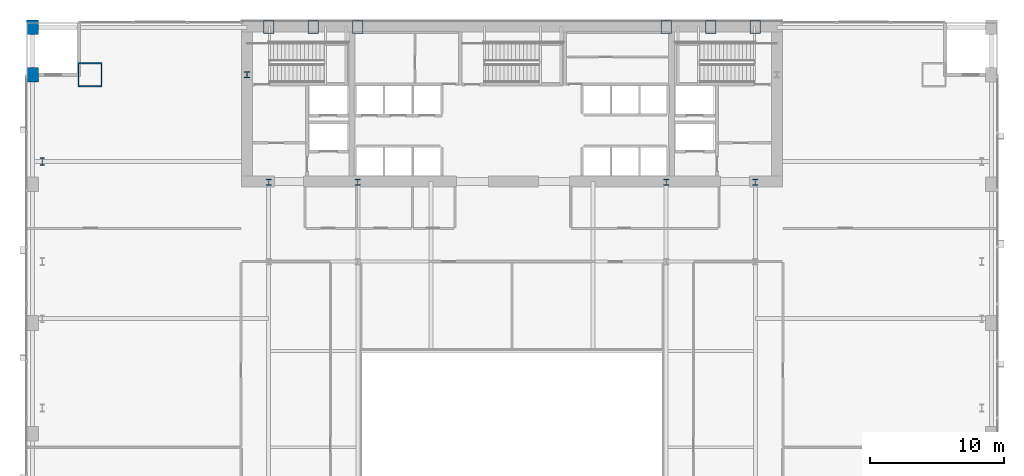
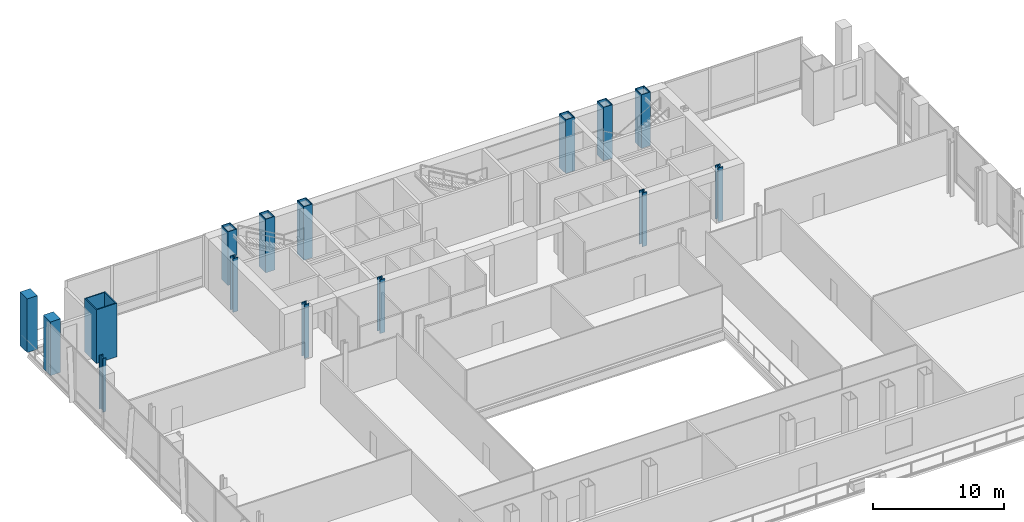
# One storey, part 3 of 26: 15 columns.
"""IFC4 building model written with IfcOpenShell, lengths in metres."""

from ifc_helpers import new_model, si_unit, direction, frame, origin, origin_2d, place, context, subcontext, project, spatial, rectangle, hollow_rectangle, i_section, extrude, material, material_profile, profile_set, type_object, element, save


model = new_model("IFC4")

# Units and contexts
model_context = context("Model", 3, precision=1e-05, world=origin(), true_north=direction((0.0, 1.0)))
body_context = subcontext(model_context, "Body", "Model", "MODEL_VIEW")
ifc_project = project(units=[si_unit("LENGTHUNIT", "METRE"), si_unit("AREAUNIT", "SQUARE_METRE"), si_unit("VOLUMEUNIT", "CUBIC_METRE"), si_unit("PLANEANGLEUNIT", "RADIAN"), si_unit("MASSUNIT", "GRAM", prefix="KILO")], contexts=[model_context])

# Site, building, storey
site_placement = place(None, origin())
site = spatial("IfcSite", under=ifc_project, at=site_placement, CompositionType="ELEMENT")
building_placement = place(site_placement, origin())
building = spatial("IfcBuilding", under=site, at=building_placement, Name="Khoronbel Lancet Exchange", CompositionType="ELEMENT")
storey_placement = place(building_placement, frame((0.0, 0.0, 5.39990234375)))
storey = spatial("IfcBuildingStorey", under=building, at=storey_placement, Name="L01", CompositionType="ELEMENT", Elevation=5.39990234375)

# Columns
ifc_material_1 = material(Name="Steel S460", Category="steel")
ifc_material_profile_1 = material_profile(ifc_material_1, hollow_rectangle(XDim=0.800048828125, YDim=1.0, WallThickness=0.054931640625, at=origin_2d()), Name="BOX 1000x800x55")
ifc_profile_set_1 = profile_set([ifc_material_profile_1], Name="Steel S460")
column_type_1 = type_object("IfcColumnType", Name="COL-EC1", PredefinedType="COLUMN", material=ifc_profile_set_1)
for number, where, z_axis, x_axis, name in (
    (1, (18.22509765625, 53.280029296875, 0.0), (0.0, 0.0, 1.0), (1.0, 0.0, 0.0), "Structural column NC-W1 L01"),
    (2, (21.5625, 53.280029296875, 0.0), (0.0, 0.0, 1.0), (1.0, 0.0, 0.0), "Structural column NC-WM L01"),
    (3, (24.89990234375, 53.280029296875, 0.0), (0.0, 0.0, 1.0), (1.0, 0.0, 0.0), "Structural column NC-W2 L01"),
    (4, (48.0, 53.280029296875, 0.0), (0.0, 0.0, 1.0), (1.0, 0.0, 0.0), "Structural column NC-E1 L01"),
    (5, (51.33740234375, 53.280029296875, 0.0), (0.0, 0.0, 1.0), (1.0, 0.0, 0.0), "Structural column NC-EM L01"),
    (6, (54.675048828125, 53.280029296875, 0.0), (0.0, 0.0, 1.0), (1.0, 0.0, 0.0), "Structural column NC-E2 L01"),
):
    element("IfcColumn", number, at=place(storey_placement, frame(where, z_axis=z_axis, x_axis=x_axis)), inside=storey, type_object=column_type_1, Name=name, PredefinedType="COLUMN", context=body_context, shape_type="SweptSolid", body=[
        extrude(hollow_rectangle(XDim=0.800048828125, YDim=1.0, WallThickness=0.054931640625, at=origin_2d()), origin(), (0.0, 0.0, 1.0), 5.0),
    ])
ifc_material_profile_2 = material_profile(ifc_material_1, i_section(OverallWidth=0.424072265625, OverallDepth=0.47412109375, WebThickness=0.047607421875, FlangeThickness=0.076904296875, at=origin_2d()), Name="HD 400x634")
ifc_profile_set_2 = profile_set([ifc_material_profile_2], Name="Steel S460")
column_type_2 = type_object("IfcColumnType", Name="COL-IC1", PredefinedType="COLUMN", material=ifc_profile_set_2)
for number, where, z_axis, x_axis, name in (
    (7, (16.60009765625, 49.699951171875, 0.0), (0.0, 0.0, 1.0), (1.0, 0.0, 0.0), "Core-flank plumb transfer column CFW L01"),
    (8, (18.22509765625, 41.64990234375, 0.0), (0.0, 0.0, 1.0), (1.0, 0.0, 0.0), "Core-embedded steel column CTC1 L01"),
    (9, (24.89990234375, 41.64990234375, 0.0), (0.0, 0.0, 1.0), (1.0, 0.0, 0.0), "Core-embedded steel column CTC2 L01"),
    (10, (48.0, 41.64990234375, 0.0), (0.0, 0.0, 1.0), (1.0, 0.0, 0.0), "Core-embedded steel column CTC3 L01"),
    (11, (54.675048828125, 41.64990234375, 0.0), (0.0, 0.0, 1.0), (1.0, 0.0, 0.0), "Core-embedded steel column CTC4 L01"),
):
    element("IfcColumn", number, at=place(storey_placement, frame(where, z_axis=z_axis, x_axis=x_axis)), inside=storey, type_object=column_type_2, Name=name, PredefinedType="COLUMN", context=body_context, shape_type="SweptSolid", body=[
        extrude(i_section(OverallWidth=0.424072265625, OverallDepth=0.47412109375, WebThickness=0.047607421875, FlangeThickness=0.076904296875, at=origin_2d()), origin(), (0.0, 0.0, 1.0), 5.0),
    ])
ifc_material_2 = material(Name="Steel S355", Category="steel")
ifc_material_profile_3 = material_profile(ifc_material_2, i_section(OverallWidth=0.300048828125, OverallDepth=0.550048828125, WebThickness=0.014892578125, FlangeThickness=0.029052734375, at=origin_2d()), Name="HEB 550")
ifc_profile_set_3 = profile_set([ifc_material_profile_3], Name="Steel S355")
column_type_3 = type_object("IfcColumnType", Name="COL-LC1", PredefinedType="COLUMN", material=ifc_profile_set_3)
column_1_placement = place(storey_placement, frame((1.27001953125, 43.199951171875, 0.0), z_axis=(0.0, 0.0, 1.0), x_axis=(1.0, 0.0, 0.0)))
element("IfcColumn", 12, at=column_1_placement, inside=storey, type_object=column_type_3, Name="Structural column WC-4 L01", PredefinedType="COLUMN", context=body_context, shape_type="SweptSolid", body=[
    extrude(i_section(OverallWidth=0.300048828125, OverallDepth=0.550048828125, WebThickness=0.014892578125, FlangeThickness=0.029052734375, at=origin_2d()), origin(), (0.0, 0.0, 1.0), 5.0),
])
ifc_material_profile_4 = material_profile(ifc_material_1, hollow_rectangle(XDim=1.800048828125, YDim=1.800048828125, WallThickness=0.080078125, at=origin_2d()), Name="BOX 1800x1800x80")
ifc_profile_set_4 = profile_set([ifc_material_profile_4], Name="Steel S460")
column_type_4 = type_object("IfcColumnType", Name="COL-MC1", PredefinedType="COLUMN", material=ifc_profile_set_4)
column_2_placement = place(storey_placement, frame((4.85009765625, 49.699951171875, 0.0), z_axis=(0.0, 0.0, 1.0), x_axis=(1.0, 0.0, 0.0)))
element("IfcColumn", 13, at=column_2_placement, inside=storey, type_object=column_type_4, Name="Structural column MC-NW L01", PredefinedType="COLUMN", context=body_context, shape_type="SweptSolid", body=[
    extrude(hollow_rectangle(XDim=1.800048828125, YDim=1.800048828125, WallThickness=0.080078125, at=origin_2d()), origin(), (0.0, 0.0, 1.0), 5.0),
])
ifc_material_3 = material(Name="Concrete C60/75", Category="concrete")
ifc_material_profile_5 = material_profile(ifc_material_3, rectangle(XDim=0.89990234375, YDim=1.10009765625, at=origin_2d()), Name="RC 900x1100")
ifc_profile_set_5 = profile_set([ifc_material_profile_5], Name="Concrete C60/75")
column_type_5 = type_object("IfcColumnType", Name="COL-PIL1", PredefinedType="PILASTER", material=ifc_profile_set_5)
for number, where, z_axis, x_axis, name in (
    (14, (0.550048828125, 49.699951171875, 0.0), (0.0, 0.0, 1.0), (1.0, 0.0, 0.0), "Podium Gothic colonnade pilaster NWMC L01"),
    (15, (0.550048828125, 53.25, 0.0), (0.0, 0.0, 1.0), (1.0, 0.0, 0.0), "Podium Gothic colonnade pilaster NWP L01"),
):
    element("IfcColumn", number, at=place(storey_placement, frame(where, z_axis=z_axis, x_axis=x_axis)), inside=storey, type_object=column_type_5, Name=name, PredefinedType="PILASTER", context=body_context, shape_type="SweptSolid", body=[
        extrude(rectangle(XDim=0.89990234375, YDim=1.10009765625, at=origin_2d()), origin(), (0.0, 0.0, 1.0), 5.0),
    ])

save(model, "model.ifc")
